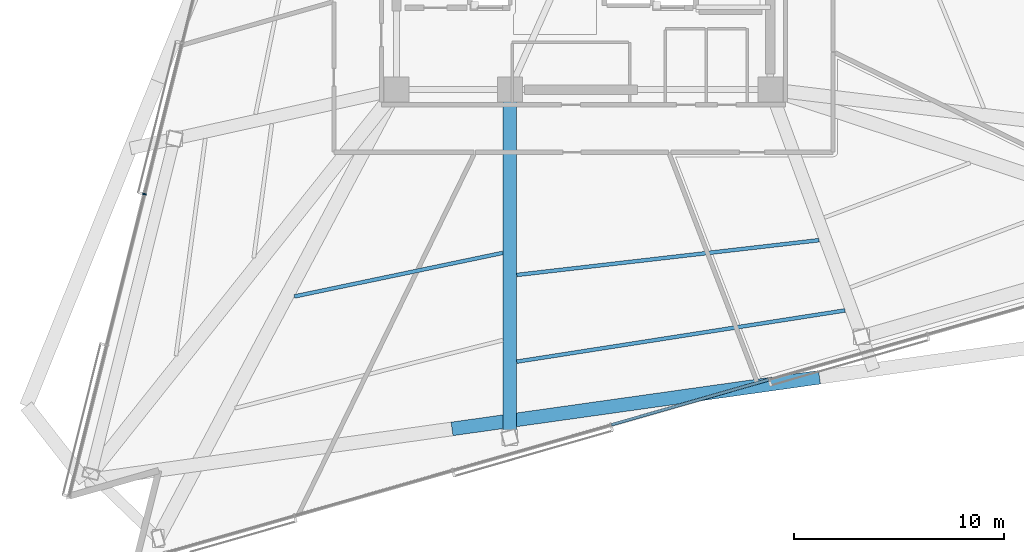
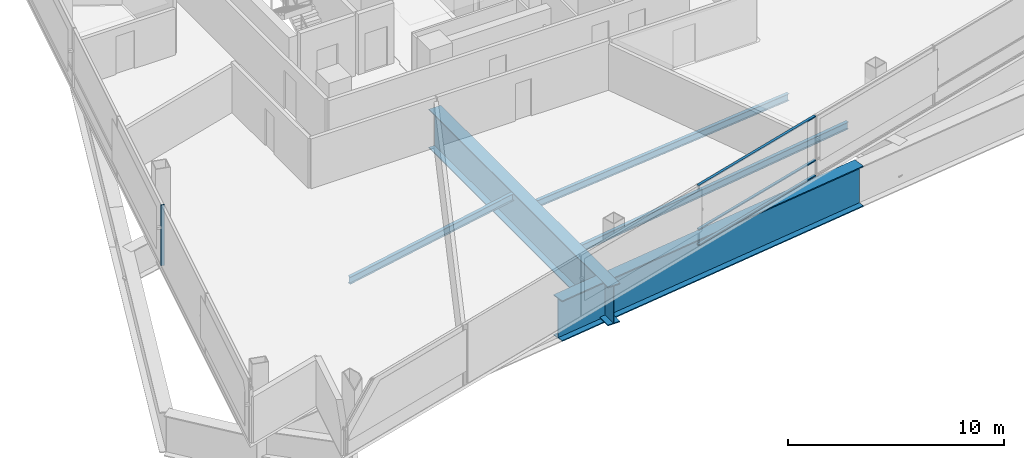
# One storey, part 3 of 21: 5 beams, 4 members, 2 elements without a shape of their own.
"""IFC4 building model written with IfcOpenShell, lengths in metres."""

from ifc_helpers import new_model, si_unit, direction, frame, origin, origin_2d, place, context, subcontext, project, spatial, rectangle, i_section, extrude, material, layer, layer_set, material_profile, profile_set, type_object, element, aggregate, save


model = new_model("IFC4")

# Units and contexts
model_context = context("Model", 3, precision=1e-05, world=origin(), true_north=direction((0.0, 1.0)))
body_context = subcontext(model_context, "Body", "Model", "MODEL_VIEW")
ifc_project = project(units=[si_unit("LENGTHUNIT", "METRE"), si_unit("AREAUNIT", "SQUARE_METRE"), si_unit("VOLUMEUNIT", "CUBIC_METRE"), si_unit("PLANEANGLEUNIT", "RADIAN"), si_unit("MASSUNIT", "GRAM", prefix="KILO")], contexts=[model_context])

# Site, building, storey
site_placement = place(None, origin())
site = spatial("IfcSite", under=ifc_project, at=site_placement, CompositionType="ELEMENT")
building_placement = place(site_placement, origin())
building = spatial("IfcBuilding", under=site, at=building_placement, Name="Tharavind Bronze Gate", CompositionType="ELEMENT")
storey_placement = place(building_placement, frame((0.0, 0.0, 86.10009765625)))
storey = spatial("IfcBuildingStorey", under=building, at=storey_placement, Name="L21", CompositionType="ELEMENT", Elevation=86.10009765625)

# Curtain wall, member
ifc_material_1 = material(Name="Anodised Bronze Aluminium", Category="aluminium")
ifc_layer = layer(ifc_material_1, 0.219970703125)
ifc_layer_set = layer_set([ifc_layer], Name="Anodised Bronze Aluminium")
curtain_wall_type = type_object("IfcCurtainWallType", Name="UNITISED CURTAIN WALL LOWER OFFICE", PredefinedType="USERDEFINED", material=ifc_layer_set)
curtain_wall_1_placement = place(storey_placement, origin())
curtain_wall_1 = element("IfcCurtainWall", 1, at=curtain_wall_1_placement, inside=storey, type_object=curtain_wall_type, Name="L21 unitised curtain wall lower office CW-L21-S1", ObjectType="UNITISED CURTAIN WALL", PredefinedType="USERDEFINED")
member_type_1 = type_object("IfcMemberType", Name="CURTAIN WALL BRONZE MULLION 65X180", PredefinedType="MULLION", material=ifc_material_1)
member_1_placement = place(storey_placement, frame((-20.902099609375, -12.57568359375, 0.0), z_axis=(0.0, 0.0, 1.0), x_axis=(-0.2419218956, -0.970295726276, 0.0)))
member_1 = element("IfcMember", 2, at=member_1_placement, type_object=member_type_1, Name="CW-L21-S1 mullion 6", PredefinedType="MULLION", context=body_context, shape_type="SweptSolid", body=[
    extrude(rectangle(XDim=0.06494140625, YDim=0.179931640625, at=origin_2d()), origin(), (0.0, 0.0, 1.0), 3.409912109375),
])
aggregate(curtain_wall_1, [member_1])

# Curtain wall, members
curtain_wall_2_placement = place(storey_placement, origin())
curtain_wall_2 = element("IfcCurtainWall", 3, at=curtain_wall_2_placement, inside=storey, type_object=curtain_wall_type, Name="L21 unitised curtain wall lower office CW-L21-S2", ObjectType="UNITISED CURTAIN WALL", PredefinedType="USERDEFINED")
member_type_2 = type_object("IfcMemberType", Name="CURTAIN WALL BRONZE TRANSOM 65X140", PredefinedType="USERDEFINED", material=ifc_material_1)
member_2_placement = place(storey_placement, frame((5.07177734375, -22.487060546875, 0.0), z_axis=(0.0, 0.0, 1.0), x_axis=(0.961261695938, 0.275637355817, 0.0)))
member_2 = element("IfcMember", 4, at=member_2_placement, type_object=member_type_2, Name="CW-L21-S2 transom TB4", ObjectType="TRANSOM", PredefinedType="USERDEFINED", context=body_context, shape_type="SweptSolid", body=[
    extrude(rectangle(XDim=7.7841796875, YDim=0.139892578125, at=origin_2d()), origin(), (0.0, 0.0, 1.0), 0.06494140625),
])
member_3_placement = place(storey_placement, frame((5.07177734375, -22.487060546875, 0.867431640625), z_axis=(0.0, 0.0, 1.0), x_axis=(0.961261695938, 0.275637355817, 0.0)))
member_3 = element("IfcMember", 5, at=member_3_placement, type_object=member_type_2, Name="CW-L21-S2 transom TS4", ObjectType="TRANSOM", PredefinedType="USERDEFINED", context=body_context, shape_type="SweptSolid", body=[
    extrude(rectangle(XDim=7.7841796875, YDim=0.139892578125, at=origin_2d()), origin(), (0.0, 0.0, 1.0), 0.06494140625),
])
member_4_placement = place(storey_placement, frame((5.07177734375, -22.487060546875, 3.344970703125), z_axis=(0.0, 0.0, 1.0), x_axis=(0.961261695938, 0.275637355817, 0.0)))
member_4 = element("IfcMember", 6, at=member_4_placement, type_object=member_type_2, Name="CW-L21-S2 transom TT4", ObjectType="TRANSOM", PredefinedType="USERDEFINED", context=body_context, shape_type="SweptSolid", body=[
    extrude(rectangle(XDim=7.7841796875, YDim=0.139892578125, at=origin_2d()), origin(), (0.0, 0.0, 1.0), 0.06494140625),
])
aggregate(curtain_wall_2, [member_2, member_3, member_4])

# Beams
ifc_material_2 = material(Name="Steel S355", Category="steel")
ifc_material_profile_1 = material_profile(ifc_material_2, i_section(OverallWidth=0.179931640625, OverallDepth=0.39990234375, WebThickness=0.008544921875, FlangeThickness=0.013427734375, at=origin_2d()), Name="IPE400")
ifc_profile_set_1 = profile_set([ifc_material_profile_1], Name="Steel S355")
beam_type_1 = type_object("IfcBeamType", Name="SECONDARY FLOOR JOIST IPE400", PredefinedType="JOIST", material=ifc_profile_set_1)
beam_1_placement = place(storey_placement, frame((-13.761474609375, -17.44921875, -0.39013671875), z_axis=(0.978820132646, 0.204722123688, 0.0), x_axis=(-0.204722123688, 0.978820132646, 0.0)))
element("IfcBeam", 7, at=beam_1_placement, inside=storey, type_object=beam_type_1, Name="L21 secondary floor joist ipe400 BM-L21-JSTA05", PredefinedType="JOIST", context=body_context, shape_type="SweptSolid", body=[
    extrude(i_section(OverallWidth=0.179931640625, OverallDepth=0.39990234375, WebThickness=0.008544921875, FlangeThickness=0.013427734375, at=origin_2d()), origin(), (0.0, 0.0, 1.0), 10.143798828125),
])
beam_2_placement = place(storey_placement, frame((-3.17529296875, -16.425537109375, -0.39013671875), z_axis=(0.993447620068, 0.114288346652, 0.0), x_axis=(-0.114288346652, 0.993447620068, 0.0)))
element("IfcBeam", 8, at=beam_2_placement, inside=storey, type_object=beam_type_1, Name="L21 secondary floor joist ipe400 BM-L21-JSTA06", PredefinedType="JOIST", context=body_context, shape_type="SweptSolid", body=[
    extrude(i_section(OverallWidth=0.179931640625, OverallDepth=0.39990234375, WebThickness=0.008544921875, FlangeThickness=0.013427734375, at=origin_2d()), origin(), (0.0, 0.0, 1.0), 14.48974609375),
])
beam_3_placement = place(storey_placement, frame((-3.17724609375, -20.5537109375, -0.39013671875), z_axis=(0.988045627813, 0.154161724688, 0.0), x_axis=(-0.154161724688, 0.988045627813, 0.0)))
element("IfcBeam", 9, at=beam_3_placement, inside=storey, type_object=beam_type_1, Name="L21 secondary floor joist ipe400 BM-L21-JSTB06", PredefinedType="JOIST", context=body_context, shape_type="SweptSolid", body=[
    extrude(i_section(OverallWidth=0.179931640625, OverallDepth=0.39990234375, WebThickness=0.008544921875, FlangeThickness=0.013427734375, at=origin_2d()), origin(), (0.0, 0.0, 1.0), 15.8193359375),
])
ifc_material_3 = material(Name="Steel S460", Category="steel")
ifc_material_profile_2 = material_profile(ifc_material_3, i_section(OverallWidth=0.64990234375, OverallDepth=2.199951171875, WebThickness=0.035888671875, FlangeThickness=0.054931640625, at=origin_2d()), Name="PG2200X650")
ifc_profile_set_2 = profile_set([ifc_material_profile_2], Name="Steel S460")
beam_type_2 = type_object("IfcBeamType", Name="TRANSFER GIRDER 2200X650", PredefinedType="USERDEFINED", material=ifc_profile_set_2)
beam_4_placement = place(storey_placement, frame((-3.5, -7.60009765625, -1.2900390625), z_axis=(-0.000471572938, -0.999999888809, 0.0), x_axis=(0.999999888809, -0.000471572938, 0.0)))
element("IfcBeam", 10, at=beam_4_placement, inside=storey, type_object=beam_type_2, Name="L21 transfer girder 2200x650 BM-L21-XFR06", ObjectType="TRANSFER GIRDER", PredefinedType="USERDEFINED", context=body_context, shape_type="SweptSolid", body=[
    extrude(i_section(OverallWidth=0.64990234375, OverallDepth=2.199951171875, WebThickness=0.035888671875, FlangeThickness=0.054931640625, at=origin_2d()), origin(), (0.0, 0.0, 1.0), 16.56689453125),
])
ifc_material_profile_3 = material_profile(ifc_material_3, i_section(OverallWidth=0.64990234375, OverallDepth=2.300048828125, WebThickness=0.035888671875, FlangeThickness=0.05810546875, at=origin_2d()), Name="PG2300X650")
ifc_profile_set_3 = profile_set([ifc_material_profile_3], Name="Steel S460")
beam_type_3 = type_object("IfcBeamType", Name="TRANSFER GIRDER 2300X650", PredefinedType="USERDEFINED", material=ifc_profile_set_3)
beam_5_placement = place(storey_placement, frame((-6.25732421875, -23.75537109375, -1.340087890625), z_axis=(0.99026860297, 0.139169299675, 0.0), x_axis=(-0.139169299675, 0.99026860297, 0.0)))
element("IfcBeam", 11, at=beam_5_placement, inside=storey, type_object=beam_type_3, Name="L21 transfer girder 2300x650 BM-L21-LRG06", ObjectType="TRANSFER GIRDER", PredefinedType="USERDEFINED", context=body_context, shape_type="SweptSolid", body=[
    extrude(i_section(OverallWidth=0.64990234375, OverallDepth=2.300048828125, WebThickness=0.035888671875, FlangeThickness=0.05810546875, at=origin_2d()), origin(), (0.0, 0.0, 1.0), 17.6689453125),
])

save(model, "model.ifc")
